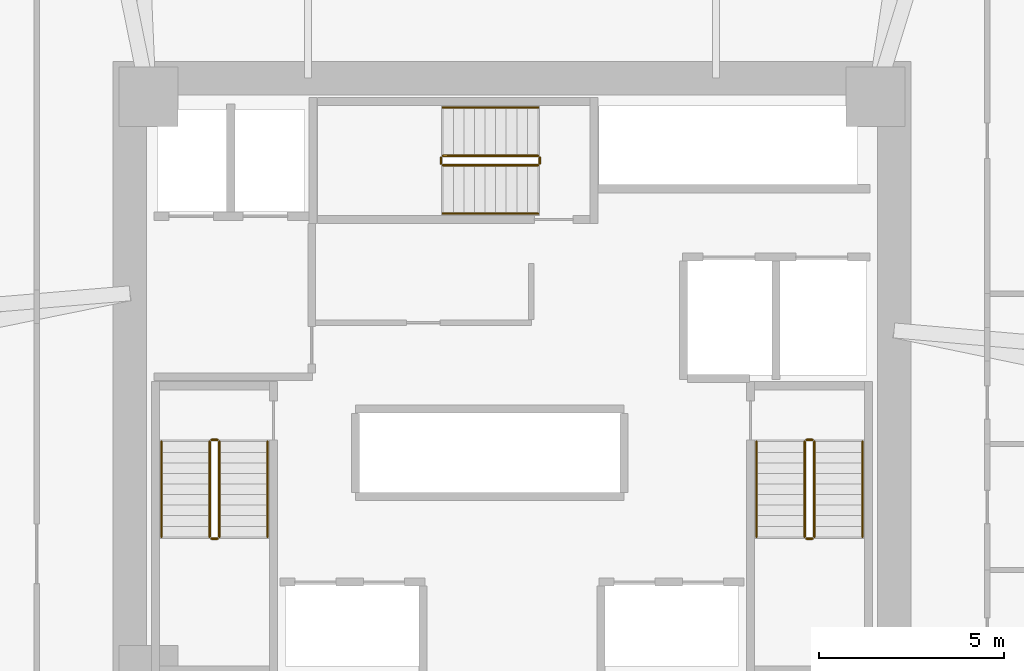
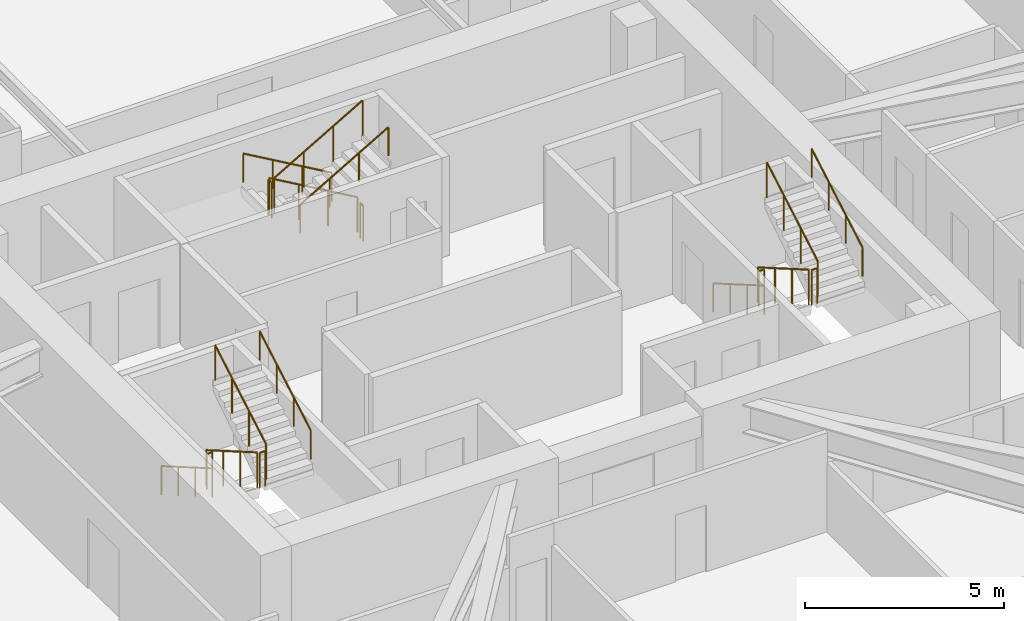
# One storey, part 17 of 17: 18 railings.
"""IFC4 building model written with IfcOpenShell, lengths in metres."""

from ifc_helpers import new_model, si_unit, direction, frame, origin, origin_2d, place, context, subcontext, project, spatial, circle, extrude, material, type_object, element, save


model = new_model("IFC4")

# Units and contexts
model_context = context("Model", 3, precision=1e-05, world=origin(), true_north=direction((0.0, 1.0)))
body_context = subcontext(model_context, "Body", "Model", "MODEL_VIEW")
ifc_project = project(units=[si_unit("LENGTHUNIT", "METRE"), si_unit("AREAUNIT", "SQUARE_METRE"), si_unit("VOLUMEUNIT", "CUBIC_METRE"), si_unit("PLANEANGLEUNIT", "RADIAN"), si_unit("MASSUNIT", "GRAM", prefix="KILO")], contexts=[model_context])

# Site, building, storey
site_placement = place(None, origin())
site = spatial("IfcSite", under=ifc_project, at=site_placement, CompositionType="ELEMENT")
building_placement = place(site_placement, origin())
building = spatial("IfcBuilding", under=site, at=building_placement, Name="Durnholm Broadcast Tower", CompositionType="ELEMENT")
storey_placement = place(building_placement, frame((0.0, 0.0, 58.800048828125)))
storey = spatial("IfcBuildingStorey", under=building, at=storey_placement, Name="L14", CompositionType="ELEMENT", Elevation=58.800048828125)

# Railings
ifc_material_1 = material(Name="Painted Tubular Steel Stair Guardrail", Category="steel")
railing_type_1 = type_object("IfcRailingType", Name="RAIL-ST-GRD", PredefinedType="GUARDRAIL", material=ifc_material_1)
railing_1_placement = place(storey_placement, frame((-8.14990234375, -1.5, 0.1650390625)))
element("IfcRailing", 1, at=railing_1_placement, inside=storey, type_object=railing_type_1, Name="L14 ST-1 stair guard 1", PredefinedType="GUARDRAIL", context=body_context, shape_type="SweptSolid", body=[
    extrude(circle(Radius=0.02392578125, at=origin_2d()), frame((0.0, 0.0, 1.076171875), z_axis=(0.0, -0.865441324677, 0.50101029285), x_axis=(1.0, 0.0, 0.0)), (0.0, 0.0, 1.0), 2.963623046875),
    extrude(circle(Radius=0.02099609375, at=origin_2d()), origin(), (0.0, 0.0, 1.0), 1.052001953125),
    extrude(circle(Radius=0.02099609375, at=origin_2d()), frame((0.0, -0.85498046875, 0.494873046875)), (0.0, 0.0, 1.0), 1.052001953125),
    extrude(circle(Radius=0.02099609375, at=origin_2d()), frame((0.0, -1.7099609375, 0.989990234375)), (0.0, 0.0, 1.0), 1.052001953125),
    extrude(circle(Radius=0.02099609375, at=origin_2d()), frame((0.0, -2.56494140625, 1.48486328125)), (0.0, 0.0, 1.0), 1.052001953125),
])
railing_2_placement = place(storey_placement, frame((-8.10009765625, -4.114990234375, 1.64990234375)))
element("IfcRailing", 2, at=railing_2_placement, inside=storey, type_object=railing_type_1, Name="L14 ST-1 stair guard 2", PredefinedType="GUARDRAIL", context=body_context, shape_type="SweptSolid", body=[
    extrude(circle(Radius=0.02392578125, at=origin_2d()), frame((0.0, 0.0, 1.076171875), z_axis=(1.0, 0.0, 0.0), x_axis=(0.0, 1.0, 0.0)), (0.0, 0.0, 1.0), 0.16015625),
    extrude(circle(Radius=0.02099609375, at=origin_2d()), origin(), (0.0, 0.0, 1.0), 1.052001953125),
    extrude(circle(Radius=0.02099609375, at=origin_2d()), frame((0.16015625, 0.0, 0.0)), (0.0, 0.0, 1.0), 1.052001953125),
])
railing_3_placement = place(storey_placement, frame((-7.889892578125, -4.06494140625, 1.81494140625)))
element("IfcRailing", 3, at=railing_3_placement, inside=storey, type_object=railing_type_1, Name="L14 ST-1 stair guard 3", PredefinedType="GUARDRAIL", context=body_context, shape_type="SweptSolid", body=[
    extrude(circle(Radius=0.02392578125, at=origin_2d()), frame((0.0, 0.0, 1.076171875), z_axis=(0.0, 0.865405606168, 0.501071987656), x_axis=(-1.0, 0.0, 0.0)), (0.0, 0.0, 1.0), 2.9638671875),
    extrude(circle(Radius=0.02099609375, at=origin_2d()), origin(), (0.0, 0.0, 1.0), 1.052001953125),
    extrude(circle(Radius=0.02099609375, at=origin_2d()), frame((0.0, 0.85498046875, 0.4951171875)), (0.0, 0.0, 1.0), 1.052001953125),
    extrude(circle(Radius=0.02099609375, at=origin_2d()), frame((0.0, 1.7099609375, 0.989990234375)), (0.0, 0.0, 1.0), 1.052001953125),
    extrude(circle(Radius=0.02099609375, at=origin_2d()), frame((0.0, 2.56494140625, 1.485107421875)), (0.0, 0.0, 1.0), 1.052001953125),
])
railing_4_placement = place(storey_placement, frame((-8.10009765625, -1.449951171875, 0.0)))
element("IfcRailing", 4, at=railing_4_placement, inside=storey, type_object=railing_type_1, Name="L14 ST-1 stair guard 4", PredefinedType="GUARDRAIL", context=body_context, shape_type="SweptSolid", body=[
    extrude(circle(Radius=0.02392578125, at=origin_2d()), frame((0.0, 0.0, 1.076171875), z_axis=(1.0, 0.0, 0.0), x_axis=(0.0, 1.0, 0.0)), (0.0, 0.0, 1.0), 0.16015625),
    extrude(circle(Radius=0.02099609375, at=origin_2d()), origin(), (0.0, 0.0, 1.0), 1.052001953125),
    extrude(circle(Radius=0.02099609375, at=origin_2d()), frame((0.16015625, 0.0, 0.0)), (0.0, 0.0, 1.0), 1.052001953125),
])
railing_5_placement = place(storey_placement, frame((7.889892578125, -1.5, 0.1650390625)))
element("IfcRailing", 5, at=railing_5_placement, inside=storey, type_object=railing_type_1, Name="L14 ST-2 stair guard 1", PredefinedType="GUARDRAIL", context=body_context, shape_type="SweptSolid", body=[
    extrude(circle(Radius=0.02392578125, at=origin_2d()), frame((0.0, 0.0, 1.076171875), z_axis=(0.0, -0.865441324677, 0.50101029285), x_axis=(1.0, 0.0, 0.0)), (0.0, 0.0, 1.0), 2.963623046875),
    extrude(circle(Radius=0.02099609375, at=origin_2d()), origin(), (0.0, 0.0, 1.0), 1.052001953125),
    extrude(circle(Radius=0.02099609375, at=origin_2d()), frame((0.0, -0.85498046875, 0.494873046875)), (0.0, 0.0, 1.0), 1.052001953125),
    extrude(circle(Radius=0.02099609375, at=origin_2d()), frame((0.0, -1.7099609375, 0.989990234375)), (0.0, 0.0, 1.0), 1.052001953125),
    extrude(circle(Radius=0.02099609375, at=origin_2d()), frame((0.0, -2.56494140625, 1.48486328125)), (0.0, 0.0, 1.0), 1.052001953125),
])
railing_6_placement = place(storey_placement, frame((7.93994140625, -4.114990234375, 1.64990234375)))
element("IfcRailing", 6, at=railing_6_placement, inside=storey, type_object=railing_type_1, Name="L14 ST-2 stair guard 2", PredefinedType="GUARDRAIL", context=body_context, shape_type="SweptSolid", body=[
    extrude(circle(Radius=0.02392578125, at=origin_2d()), frame((0.0, 0.0, 1.076171875), z_axis=(1.0, 0.0, 0.0), x_axis=(0.0, 1.0, 0.0)), (0.0, 0.0, 1.0), 0.16015625),
    extrude(circle(Radius=0.02099609375, at=origin_2d()), origin(), (0.0, 0.0, 1.0), 1.052001953125),
    extrude(circle(Radius=0.02099609375, at=origin_2d()), frame((0.16015625, 0.0, 0.0)), (0.0, 0.0, 1.0), 1.052001953125),
])
railing_7_placement = place(storey_placement, frame((8.14990234375, -4.06494140625, 1.81494140625)))
element("IfcRailing", 7, at=railing_7_placement, inside=storey, type_object=railing_type_1, Name="L14 ST-2 stair guard 3", PredefinedType="GUARDRAIL", context=body_context, shape_type="SweptSolid", body=[
    extrude(circle(Radius=0.02392578125, at=origin_2d()), frame((0.0, 0.0, 1.076171875), z_axis=(0.0, 0.865405606168, 0.501071987656), x_axis=(-1.0, 0.0, 0.0)), (0.0, 0.0, 1.0), 2.9638671875),
    extrude(circle(Radius=0.02099609375, at=origin_2d()), origin(), (0.0, 0.0, 1.0), 1.052001953125),
    extrude(circle(Radius=0.02099609375, at=origin_2d()), frame((0.0, 0.85498046875, 0.4951171875)), (0.0, 0.0, 1.0), 1.052001953125),
    extrude(circle(Radius=0.02099609375, at=origin_2d()), frame((0.0, 1.7099609375, 0.989990234375)), (0.0, 0.0, 1.0), 1.052001953125),
    extrude(circle(Radius=0.02099609375, at=origin_2d()), frame((0.0, 2.56494140625, 1.485107421875)), (0.0, 0.0, 1.0), 1.052001953125),
])
railing_8_placement = place(storey_placement, frame((7.93994140625, -1.449951171875, 0.0)))
element("IfcRailing", 8, at=railing_8_placement, inside=storey, type_object=railing_type_1, Name="L14 ST-2 stair guard 4", PredefinedType="GUARDRAIL", context=body_context, shape_type="SweptSolid", body=[
    extrude(circle(Radius=0.02392578125, at=origin_2d()), frame((0.0, 0.0, 1.076171875), z_axis=(1.0, 0.0, 0.0), x_axis=(0.0, 1.0, 0.0)), (0.0, 0.0, 1.0), 0.16015625),
    extrude(circle(Radius=0.02099609375, at=origin_2d()), origin(), (0.0, 0.0, 1.0), 1.052001953125),
    extrude(circle(Radius=0.02099609375, at=origin_2d()), frame((0.16015625, 0.0, 0.0)), (0.0, 0.0, 1.0), 1.052001953125),
])
railing_9_placement = place(storey_placement, frame((0.699951171875, 6.2099609375, 0.1650390625)))
element("IfcRailing", 9, at=railing_9_placement, inside=storey, type_object=railing_type_1, Name="L14 ST-3 stair guard 1", PredefinedType="GUARDRAIL", context=body_context, shape_type="SweptSolid", body=[
    extrude(circle(Radius=0.02392578125, at=origin_2d()), frame((0.0, 0.0, 1.076171875), z_axis=(-0.865441324677, 0.0, 0.50101029285), x_axis=(0.0, -1.0, 0.0)), (0.0, 0.0, 1.0), 2.963623046875),
    extrude(circle(Radius=0.02099609375, at=origin_2d()), origin(), (0.0, 0.0, 1.0), 1.052001953125),
    extrude(circle(Radius=0.02099609375, at=origin_2d()), frame((-0.85498046875, 0.0, 0.494873046875)), (0.0, 0.0, 1.0), 1.052001953125),
    extrude(circle(Radius=0.02099609375, at=origin_2d()), frame((-1.7099609375, 0.0, 0.989990234375)), (0.0, 0.0, 1.0), 1.052001953125),
    extrude(circle(Radius=0.02099609375, at=origin_2d()), frame((-2.56494140625, 0.0, 1.48486328125)), (0.0, 0.0, 1.0), 1.052001953125),
])
railing_10_placement = place(storey_placement, frame((-1.9150390625, 6.159912109375, 1.64990234375)))
element("IfcRailing", 10, at=railing_10_placement, inside=storey, type_object=railing_type_1, Name="L14 ST-3 stair guard 2", PredefinedType="GUARDRAIL", context=body_context, shape_type="SweptSolid", body=[
    extrude(circle(Radius=0.02392578125, at=origin_2d()), frame((0.0, 0.0, 1.076171875), z_axis=(0.0, -1.0, 0.0), x_axis=(1.0, 0.0, 0.0)), (0.0, 0.0, 1.0), 0.159912109375),
    extrude(circle(Radius=0.02099609375, at=origin_2d()), origin(), (0.0, 0.0, 1.0), 1.052001953125),
    extrude(circle(Radius=0.02099609375, at=origin_2d()), frame((0.0, -0.159912109375, 0.0)), (0.0, 0.0, 1.0), 1.052001953125),
])
railing_11_placement = place(storey_placement, frame((-1.864990234375, 5.949951171875, 1.81494140625)))
element("IfcRailing", 11, at=railing_11_placement, inside=storey, type_object=railing_type_1, Name="L14 ST-3 stair guard 3", PredefinedType="GUARDRAIL", context=body_context, shape_type="SweptSolid", body=[
    extrude(circle(Radius=0.02392578125, at=origin_2d()), frame((0.0, 0.0, 1.076171875), z_axis=(0.865405606168, 0.0, 0.501071987656), x_axis=(0.0, 1.0, 0.0)), (0.0, 0.0, 1.0), 2.9638671875),
    extrude(circle(Radius=0.02099609375, at=origin_2d()), origin(), (0.0, 0.0, 1.0), 1.052001953125),
    extrude(circle(Radius=0.02099609375, at=origin_2d()), frame((0.85498046875, 0.0, 0.4951171875)), (0.0, 0.0, 1.0), 1.052001953125),
    extrude(circle(Radius=0.02099609375, at=origin_2d()), frame((1.7099609375, 0.0, 0.989990234375)), (0.0, 0.0, 1.0), 1.052001953125),
    extrude(circle(Radius=0.02099609375, at=origin_2d()), frame((2.56494140625, 0.0, 1.485107421875)), (0.0, 0.0, 1.0), 1.052001953125),
])
railing_12_placement = place(storey_placement, frame((0.75, 6.159912109375, 0.0)))
element("IfcRailing", 12, at=railing_12_placement, inside=storey, type_object=railing_type_1, Name="L14 ST-3 stair guard 4", PredefinedType="GUARDRAIL", context=body_context, shape_type="SweptSolid", body=[
    extrude(circle(Radius=0.02392578125, at=origin_2d()), frame((0.0, 0.0, 1.076171875), z_axis=(0.0, -1.0, 0.0), x_axis=(1.0, 0.0, 0.0)), (0.0, 0.0, 1.0), 0.159912109375),
    extrude(circle(Radius=0.02099609375, at=origin_2d()), origin(), (0.0, 0.0, 1.0), 1.052001953125),
    extrude(circle(Radius=0.02099609375, at=origin_2d()), frame((0.0, -0.159912109375, 0.0)), (0.0, 0.0, 1.0), 1.052001953125),
])
ifc_material_2 = material(Name="Brushed Stainless Steel Handrail", Category="steel")
railing_type_2 = type_object("IfcRailingType", Name="RAIL-ST-HND", PredefinedType="HANDRAIL", material=ifc_material_2)
railing_13_placement = place(storey_placement, frame((-9.449951171875, -1.5, 0.329833984375)))
element("IfcRailing", 13, at=railing_13_placement, inside=storey, type_object=railing_type_2, Name="L14 ST-1 stair handrail 1", PredefinedType="HANDRAIL", context=body_context, shape_type="SweptSolid", body=[
    extrude(circle(Radius=0.02392578125, at=origin_2d()), frame((0.0, 0.0, 0.8759765625), z_axis=(0.0, -0.865405606168, 0.501071987656), x_axis=(1.0, 0.0, 0.0)), (0.0, 0.0, 1.0), 2.9638671875),
    extrude(circle(Radius=0.02099609375, at=origin_2d()), origin(), (0.0, 0.0, 1.0), 0.851806640625),
    extrude(circle(Radius=0.02099609375, at=origin_2d()), frame((0.0, -0.85498046875, 0.4951171875)), (0.0, 0.0, 1.0), 0.851806640625),
    extrude(circle(Radius=0.02099609375, at=origin_2d()), frame((0.0, -1.7099609375, 0.989990234375)), (0.0, 0.0, 1.0), 0.851806640625),
    extrude(circle(Radius=0.02099609375, at=origin_2d()), frame((0.0, -2.56494140625, 1.485107421875)), (0.0, 0.0, 1.0), 0.851806640625),
])
railing_14_placement = place(storey_placement, frame((-6.590087890625, -4.06494140625, 1.97998046875)))
element("IfcRailing", 14, at=railing_14_placement, inside=storey, type_object=railing_type_2, Name="L14 ST-1 stair handrail 2", PredefinedType="HANDRAIL", context=body_context, shape_type="SweptSolid", body=[
    extrude(circle(Radius=0.02392578125, at=origin_2d()), frame((0.0, 0.0, 0.8759765625), z_axis=(0.0, 0.865441324677, 0.50101029285), x_axis=(-1.0, 0.0, 0.0)), (0.0, 0.0, 1.0), 2.963623046875),
    extrude(circle(Radius=0.02099609375, at=origin_2d()), origin(), (0.0, 0.0, 1.0), 0.851806640625),
    extrude(circle(Radius=0.02099609375, at=origin_2d()), frame((0.0, 0.85498046875, 0.494873046875)), (0.0, 0.0, 1.0), 0.851806640625),
    extrude(circle(Radius=0.02099609375, at=origin_2d()), frame((0.0, 1.7099609375, 0.989990234375)), (0.0, 0.0, 1.0), 0.851806640625),
    extrude(circle(Radius=0.02099609375, at=origin_2d()), frame((0.0, 2.56494140625, 1.48486328125)), (0.0, 0.0, 1.0), 0.851806640625),
])
railing_15_placement = place(storey_placement, frame((6.590087890625, -1.5, 0.329833984375)))
element("IfcRailing", 15, at=railing_15_placement, inside=storey, type_object=railing_type_2, Name="L14 ST-2 stair handrail 1", PredefinedType="HANDRAIL", context=body_context, shape_type="SweptSolid", body=[
    extrude(circle(Radius=0.02392578125, at=origin_2d()), frame((0.0, 0.0, 0.8759765625), z_axis=(0.0, -0.865405606168, 0.501071987656), x_axis=(1.0, 0.0, 0.0)), (0.0, 0.0, 1.0), 2.9638671875),
    extrude(circle(Radius=0.02099609375, at=origin_2d()), origin(), (0.0, 0.0, 1.0), 0.851806640625),
    extrude(circle(Radius=0.02099609375, at=origin_2d()), frame((0.0, -0.85498046875, 0.4951171875)), (0.0, 0.0, 1.0), 0.851806640625),
    extrude(circle(Radius=0.02099609375, at=origin_2d()), frame((0.0, -1.7099609375, 0.989990234375)), (0.0, 0.0, 1.0), 0.851806640625),
    extrude(circle(Radius=0.02099609375, at=origin_2d()), frame((0.0, -2.56494140625, 1.485107421875)), (0.0, 0.0, 1.0), 0.851806640625),
])
railing_16_placement = place(storey_placement, frame((9.449951171875, -4.06494140625, 1.97998046875)))
element("IfcRailing", 16, at=railing_16_placement, inside=storey, type_object=railing_type_2, Name="L14 ST-2 stair handrail 2", PredefinedType="HANDRAIL", context=body_context, shape_type="SweptSolid", body=[
    extrude(circle(Radius=0.02392578125, at=origin_2d()), frame((0.0, 0.0, 0.8759765625), z_axis=(0.0, 0.865441324677, 0.50101029285), x_axis=(-1.0, 0.0, 0.0)), (0.0, 0.0, 1.0), 2.963623046875),
    extrude(circle(Radius=0.02099609375, at=origin_2d()), origin(), (0.0, 0.0, 1.0), 0.851806640625),
    extrude(circle(Radius=0.02099609375, at=origin_2d()), frame((0.0, 0.85498046875, 0.494873046875)), (0.0, 0.0, 1.0), 0.851806640625),
    extrude(circle(Radius=0.02099609375, at=origin_2d()), frame((0.0, 1.7099609375, 0.989990234375)), (0.0, 0.0, 1.0), 0.851806640625),
    extrude(circle(Radius=0.02099609375, at=origin_2d()), frame((0.0, 2.56494140625, 1.48486328125)), (0.0, 0.0, 1.0), 0.851806640625),
])
railing_17_placement = place(storey_placement, frame((0.699951171875, 7.510009765625, 0.329833984375)))
element("IfcRailing", 17, at=railing_17_placement, inside=storey, type_object=railing_type_2, Name="L14 ST-3 stair handrail 1", PredefinedType="HANDRAIL", context=body_context, shape_type="SweptSolid", body=[
    extrude(circle(Radius=0.02392578125, at=origin_2d()), frame((0.0, 0.0, 0.8759765625), z_axis=(-0.865405606168, 0.0, 0.501071987656), x_axis=(0.0, -1.0, 0.0)), (0.0, 0.0, 1.0), 2.9638671875),
    extrude(circle(Radius=0.02099609375, at=origin_2d()), origin(), (0.0, 0.0, 1.0), 0.851806640625),
    extrude(circle(Radius=0.02099609375, at=origin_2d()), frame((-0.85498046875, 0.0, 0.4951171875)), (0.0, 0.0, 1.0), 0.851806640625),
    extrude(circle(Radius=0.02099609375, at=origin_2d()), frame((-1.7099609375, 0.0, 0.989990234375)), (0.0, 0.0, 1.0), 0.851806640625),
    extrude(circle(Radius=0.02099609375, at=origin_2d()), frame((-2.56494140625, 0.0, 1.485107421875)), (0.0, 0.0, 1.0), 0.851806640625),
])
railing_18_placement = place(storey_placement, frame((-1.864990234375, 4.64990234375, 1.97998046875)))
element("IfcRailing", 18, at=railing_18_placement, inside=storey, type_object=railing_type_2, Name="L14 ST-3 stair handrail 2", PredefinedType="HANDRAIL", context=body_context, shape_type="SweptSolid", body=[
    extrude(circle(Radius=0.02392578125, at=origin_2d()), frame((0.0, 0.0, 0.8759765625), z_axis=(0.865441324677, 0.0, 0.50101029285), x_axis=(0.0, 1.0, 0.0)), (0.0, 0.0, 1.0), 2.963623046875),
    extrude(circle(Radius=0.02099609375, at=origin_2d()), origin(), (0.0, 0.0, 1.0), 0.851806640625),
    extrude(circle(Radius=0.02099609375, at=origin_2d()), frame((0.85498046875, 0.0, 0.494873046875)), (0.0, 0.0, 1.0), 0.851806640625),
    extrude(circle(Radius=0.02099609375, at=origin_2d()), frame((1.7099609375, 0.0, 0.989990234375)), (0.0, 0.0, 1.0), 0.851806640625),
    extrude(circle(Radius=0.02099609375, at=origin_2d()), frame((2.56494140625, 0.0, 1.48486328125)), (0.0, 0.0, 1.0), 0.851806640625),
])

save(model, "model.ifc")
